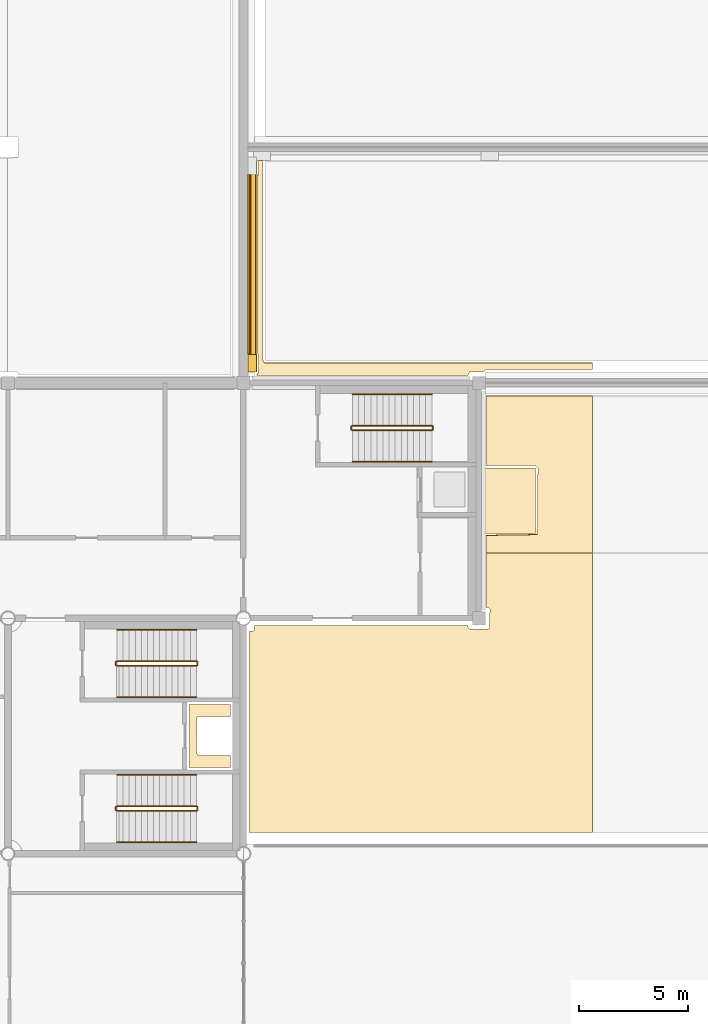
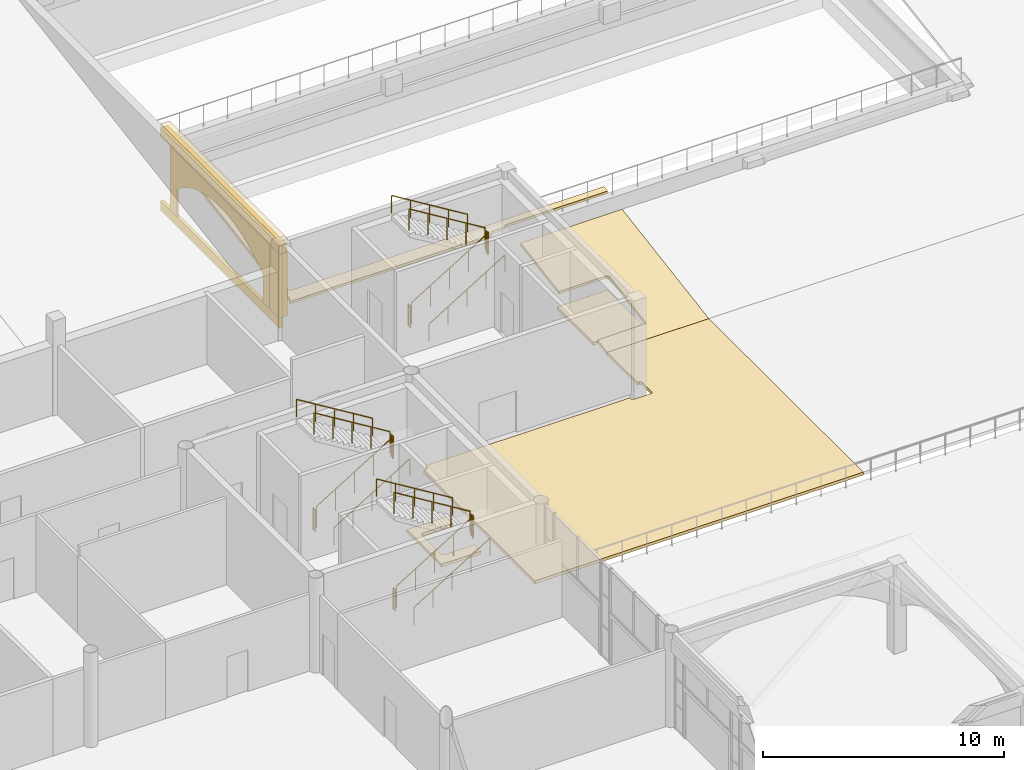
# One storey, part 86 of 91: 18 railings, 10 coverings.
"""IFC4 building model written with IfcOpenShell, lengths in metres."""

from ifc_helpers import new_model, si_unit, direction, frame, origin, origin_2d, place, context, subcontext, project, spatial, polyline, rectangle, circle, outline, extrude, material, layer, layer_set, type_object, element, save


model = new_model("IFC4")

# Units and contexts
model_context = context("Model", 3, precision=1e-05, world=origin(), true_north=direction((0.0, 1.0)))
body_context = subcontext(model_context, "Body", "Model", "MODEL_VIEW")
ifc_project = project(units=[si_unit("LENGTHUNIT", "METRE"), si_unit("AREAUNIT", "SQUARE_METRE"), si_unit("VOLUMEUNIT", "CUBIC_METRE"), si_unit("PLANEANGLEUNIT", "RADIAN"), si_unit("MASSUNIT", "GRAM", prefix="KILO")], contexts=[model_context])

# Site, building, storey
site_placement = place(None, origin())
site = spatial("IfcSite", under=ifc_project, at=site_placement, CompositionType="ELEMENT")
building_placement = place(site_placement, origin())
building = spatial("IfcBuilding", under=site, at=building_placement, Name="Magnolia Steps Interchange", CompositionType="ELEMENT")
storey_placement = place(building_placement, origin())
storey = spatial("IfcBuildingStorey", under=building, at=storey_placement, Name="L00", CompositionType="ELEMENT", Elevation=0.0)

# Coverings
ifc_material_1 = material(Name="Lime render")
ifc_layer_1 = layer(ifc_material_1, 0.080078125)
ifc_layer_set_1 = layer_set([ifc_layer_1], Name="Lime render arch infill")
covering_type_1 = type_object("IfcCoveringType", Name="Lime render arch infill", PredefinedType="CLADDING", material=ifc_layer_set_1)
covering_1_placement = place(storey_placement, frame((118.199951171875, 97.699951171875, 0.5), z_axis=(-1.0, 0.0, 0.0), x_axis=(0.0, 0.0, 1.0)))
element("IfcCovering", 1, at=covering_1_placement, inside=storey, type_object=covering_type_1, Name="Blind arch retaining wall east 1.1", PredefinedType="CLADDING", context=body_context, shape_type="SweptSolid", body=[
    extrude(outline(polyline([(0.0, 0.0), (3.25, 0.0), (3.25, 8.25), (0.0, 8.25), (0.0, 7.699951172), (1.399902344, 7.699951172), (1.703613281, 7.302734375), (1.955566406, 6.905761719), (2.163818359, 6.508300781), (2.333496094, 6.111083984), (2.468505859, 5.713867188), (2.570800781, 5.316650391), (2.643066406, 4.919433594), (2.685791016, 4.522216797), (2.699951172, 4.125), (2.685791016, 3.727783203), (2.643066406, 3.330566406), (2.570800781, 2.933349609), (2.468505859, 2.536132812), (2.333496094, 2.138916016), (2.163818359, 1.741699219), (1.955566406, 1.344482422), (1.703613281, 0.947265625), (1.399902344, 0.550048828), (0.0, 0.550048828), (0.0, 0.0)])), origin(), (0.0, 0.0, -1.0), 0.080078125),
])
ifc_material_2 = material(Name="Lime render")
ifc_layer_2 = layer(ifc_material_2, 0.1201171875)
ifc_layer_set_2 = layer_set([ifc_layer_2], Name="Lime render band")
covering_type_2 = type_object("IfcCoveringType", Name="Lime render band", PredefinedType="CLADDING", material=ifc_layer_set_2)
covering_2_placement = place(storey_placement, frame((118.27490234375, 101.824951171875, 0.0), z_axis=(0.0, 0.0, 1.0), x_axis=(1.0, 0.0, 0.0)))
element("IfcCovering", 2, at=covering_2_placement, inside=storey, type_object=covering_type_2, Name="Plinth course retaining wall east 1", PredefinedType="CLADDING", context=body_context, shape_type="SweptSolid", body=[
    extrude(rectangle(XDim=0.14990234375, YDim=9.85009765625, at=origin_2d()), origin(), (0.0, 0.0, 1.0), 0.5),
])
covering_3_placement = place(storey_placement, frame((118.375, 101.824951171875, 3.75), z_axis=(0.0, 0.0, 1.0), x_axis=(1.0, 0.0, 0.0)))
element("IfcCovering", 3, at=covering_3_placement, inside=storey, type_object=covering_type_2, Name="Cornice retaining wall east 1", PredefinedType="CLADDING", context=body_context, shape_type="SweptSolid", body=[
    extrude(rectangle(XDim=0.35009765625, YDim=9.85009765625, at=origin_2d()), origin(), (0.0, 0.0, 1.0), 0.449951171875),
])
covering_4_placement = place(storey_placement, frame((118.409912109375, 101.824951171875, 4.2001953125), z_axis=(0.0, 0.0, 1.0), x_axis=(1.0, 0.0, 0.0)))
element("IfcCovering", 4, at=covering_4_placement, inside=storey, type_object=covering_type_2, Name="Coping retaining wall east 1", PredefinedType="CLADDING", context=body_context, shape_type="SweptSolid", body=[
    extrude(rectangle(XDim=0.419921875, YDim=9.85009765625, at=origin_2d()), origin(), (0.0, 0.0, 1.0), 0.199951171875),
])
ifc_material_3 = material(Name="Lime render")
ifc_layer_3 = layer(ifc_material_3, 0.39990234375)
ifc_layer_set_3 = layer_set([ifc_layer_3], Name="Lime render pilaster")
covering_type_3 = type_object("IfcCoveringType", Name="Lime render pilaster", PredefinedType="CLADDING", material=ifc_layer_set_3)
covering_5_placement = place(storey_placement, frame((118.39990234375, 97.300048828125, 0.5), z_axis=(0.0, 0.0, 1.0), x_axis=(1.0, 0.0, 0.0)))
element("IfcCovering", 5, at=covering_5_placement, inside=storey, type_object=covering_type_3, Name="Pilaster retaining wall east 1.1", PredefinedType="CLADDING", context=body_context, shape_type="SweptSolid", body=[
    extrude(rectangle(XDim=0.39990234375, YDim=0.800048828125, at=origin_2d()), origin(), (0.0, 0.0, 1.0), 3.25),
])
ifc_material_4 = material(Name="Topsoil and turf on compacted fill")
ifc_layer_4 = layer(ifc_material_4, 0.14990234375)
ifc_layer_set_4 = layer_set([ifc_layer_4], Name="Planted bank 150")
covering_type_4 = type_object("IfcCoveringType", Name="Planted bank 150", PredefinedType="FLOORING", material=ifc_layer_set_4)
covering_6_placement = place(storey_placement, frame((129.125, 89.39990234375, 0.130615234375), z_axis=(7.751221e-06, -0.161144641573, 0.986930800225), x_axis=(0.999875473277, 0.015575938785, 0.002535363995)))
element("IfcCovering", 6, at=covering_6_placement, inside=storey, type_object=covering_type_4, Name="Planted bank north centre", PredefinedType="FLOORING", context=body_context, shape_type="SweptSolid", body=[
    extrude(outline(polyline([(0.0, 0.0), (2.352587881, 0.0), (2.424274337, 3.103266857), (2.325789733, 3.206259232), (0.051170675, 3.242159316), (0.102337547, 6.484077711), (4.976730479, 6.407145658), (4.861604066, -0.887230963), (-0.012788866, -0.810298909), (0.0, 0.0)])), origin(), (0.0, 0.0, -1.0), 0.14990234375),
])
covering_7_placement = place(storey_placement, frame((118.89990234375, 106.60009765625, 2.938720703125), z_axis=(-1.266777e-06, -0.161134405283, 0.986932471567), x_axis=(1.9e-11, -0.986932471567, -0.161134405283)))
element("IfcCovering", 7, at=covering_7_placement, inside=storey, type_object=covering_type_4, Name="Planted bank north centre 7", PredefinedType="FLOORING", context=body_context, shape_type="SweptSolid", body=[
    extrude(outline(polyline([(0.0, 0.0), (9.321987822, 0.0), (9.418958069, 0.071044922), (9.420925011, 15.100097656), (9.727207405, 15.100097656), (9.727207405, 10.200195312), (9.828632775, 10.100097656), (9.83280761, 9.471191406), (10.005755914, 9.400146484), (10.005755914, -0.299804688), (9.838506824, -0.200439453), (9.017992, -0.199951172), (8.916566629, -0.299804688), (0.75990842, -0.299804687), (0.668637389, -0.200439453), (0.0, -0.199951172), (0.0, 0.0)])), origin(), (0.0, 0.0, -1.0), 0.14990234375),
])

# Railings
ifc_material_5 = material(Name="Stainless steel grade 304", Category="steel")
railing_type_1 = type_object("IfcRailingType", Name="Stair guard 1100", PredefinedType="GUARDRAIL", material=ifc_material_5)
railing_1_placement = place(storey_placement, frame((112.199951171875, 83.426025390625, 0.17138671875)))
element("IfcRailing", 8, at=railing_1_placement, inside=storey, type_object=railing_type_1, Name="L00 ST3 stair guard 1", PredefinedType="GUARDRAIL", context=body_context, shape_type="SweptSolid", body=[
    extrude(circle(Radius=0.02392578125, at=origin_2d()), frame((0.0, 0.0, 1.076171875), z_axis=(0.852865859571, 0.0, 0.52213008492), x_axis=(0.0, 1.0, 0.0)), (0.0, 0.0, 1.0), 4.26806640625),
    extrude(circle(Radius=0.02099609375, at=origin_2d()), origin(), (0.0, 0.0, 1.0), 1.052001953125),
    extrude(circle(Radius=0.02099609375, at=origin_2d()), frame((0.91015625, 0.0, 0.55712890625)), (0.0, 0.0, 1.0), 1.052001953125),
    extrude(circle(Radius=0.02099609375, at=origin_2d()), frame((1.820068359375, 0.0, 1.1142578125)), (0.0, 0.0, 1.0), 1.052001953125),
    extrude(circle(Radius=0.02099609375, at=origin_2d()), frame((2.72998046875, 0.0, 1.67138671875)), (0.0, 0.0, 1.0), 1.052001953125),
    extrude(circle(Radius=0.02099609375, at=origin_2d()), frame((3.64013671875, 0.0, 2.228515625)), (0.0, 0.0, 1.0), 1.052001953125),
])
railing_2_placement = place(storey_placement, frame((115.889892578125, 83.449951171875, 2.39990234375)))
element("IfcRailing", 9, at=railing_2_placement, inside=storey, type_object=railing_type_1, Name="L00 ST3 stair guard 2", PredefinedType="GUARDRAIL", context=body_context, shape_type="SweptSolid", body=[
    extrude(circle(Radius=0.02392578125, at=origin_2d()), frame((0.0, 0.0, 1.076171875), z_axis=(0.0, 1.0, 0.0), x_axis=(-1.0, 0.0, 0.0)), (0.0, 0.0, 1.0), 0.150146484375),
    extrude(circle(Radius=0.02099609375, at=origin_2d()), origin(), (0.0, 0.0, 1.0), 1.052001953125),
    extrude(circle(Radius=0.02099609375, at=origin_2d()), frame((0.0, 0.150146484375, 0.0)), (0.0, 0.0, 1.0), 1.052001953125),
])
railing_3_placement = place(storey_placement, frame((115.840087890625, 83.6240234375, 2.571533203125)))
element("IfcRailing", 10, at=railing_3_placement, inside=storey, type_object=railing_type_1, Name="L00 ST3 stair guard 3", PredefinedType="GUARDRAIL", context=body_context, shape_type="SweptSolid", body=[
    extrude(circle(Radius=0.02392578125, at=origin_2d()), frame((0.0, 0.0, 1.076171875), z_axis=(-0.852865859571, 0.0, 0.52213008492), x_axis=(0.0, -1.0, 0.0)), (0.0, 0.0, 1.0), 4.26806640625),
    extrude(circle(Radius=0.02099609375, at=origin_2d()), origin(), (0.0, 0.0, 1.0), 1.052001953125),
    extrude(circle(Radius=0.02099609375, at=origin_2d()), frame((-0.91015625, 0.0, 0.55712890625)), (0.0, 0.0, 1.0), 1.052001953125),
    extrude(circle(Radius=0.02099609375, at=origin_2d()), frame((-1.820068359375, 0.0, 1.1142578125)), (0.0, 0.0, 1.0), 1.052001953125),
    extrude(circle(Radius=0.02099609375, at=origin_2d()), frame((-2.72998046875, 0.0, 1.67138671875)), (0.0, 0.0, 1.0), 1.052001953125),
    extrude(circle(Radius=0.02099609375, at=origin_2d()), frame((-3.64013671875, 0.0, 2.228515625)), (0.0, 0.0, 1.0), 1.052001953125),
])
railing_4_placement = place(storey_placement, frame((112.14990234375, 83.449951171875, 0.0)))
element("IfcRailing", 11, at=railing_4_placement, inside=storey, type_object=railing_type_1, Name="L00 ST3 stair guard 4", PredefinedType="GUARDRAIL", context=body_context, shape_type="SweptSolid", body=[
    extrude(circle(Radius=0.02392578125, at=origin_2d()), frame((0.0, 0.0, 1.076171875), z_axis=(0.0, 1.0, 0.0), x_axis=(-1.0, 0.0, 0.0)), (0.0, 0.0, 1.0), 0.150146484375),
    extrude(circle(Radius=0.02099609375, at=origin_2d()), origin(), (0.0, 0.0, 1.0), 1.052001953125),
    extrude(circle(Radius=0.02099609375, at=origin_2d()), frame((0.0, 0.150146484375, 0.0)), (0.0, 0.0, 1.0), 1.052001953125),
])
railing_5_placement = place(storey_placement, frame((112.199951171875, 76.77587890625, 0.17138671875)))
element("IfcRailing", 12, at=railing_5_placement, inside=storey, type_object=railing_type_1, Name="L00 ST4 stair guard 1", PredefinedType="GUARDRAIL", context=body_context, shape_type="SweptSolid", body=[
    extrude(circle(Radius=0.02392578125, at=origin_2d()), frame((0.0, 0.0, 1.076171875), z_axis=(0.852865859571, 0.0, 0.52213008492), x_axis=(0.0, 1.0, 0.0)), (0.0, 0.0, 1.0), 4.26806640625),
    extrude(circle(Radius=0.02099609375, at=origin_2d()), origin(), (0.0, 0.0, 1.0), 1.052001953125),
    extrude(circle(Radius=0.02099609375, at=origin_2d()), frame((0.91015625, 0.0, 0.55712890625)), (0.0, 0.0, 1.0), 1.052001953125),
    extrude(circle(Radius=0.02099609375, at=origin_2d()), frame((1.820068359375, 0.0, 1.1142578125)), (0.0, 0.0, 1.0), 1.052001953125),
    extrude(circle(Radius=0.02099609375, at=origin_2d()), frame((2.72998046875, 0.0, 1.67138671875)), (0.0, 0.0, 1.0), 1.052001953125),
    extrude(circle(Radius=0.02099609375, at=origin_2d()), frame((3.64013671875, 0.0, 2.228515625)), (0.0, 0.0, 1.0), 1.052001953125),
])
railing_6_placement = place(storey_placement, frame((115.889892578125, 76.800048828125, 2.39990234375)))
element("IfcRailing", 13, at=railing_6_placement, inside=storey, type_object=railing_type_1, Name="L00 ST4 stair guard 2", PredefinedType="GUARDRAIL", context=body_context, shape_type="SweptSolid", body=[
    extrude(circle(Radius=0.02392578125, at=origin_2d()), frame((0.0, 0.0, 1.076171875), z_axis=(0.0, 1.0, 0.0), x_axis=(-1.0, 0.0, 0.0)), (0.0, 0.0, 1.0), 0.14990234375),
    extrude(circle(Radius=0.02099609375, at=origin_2d()), origin(), (0.0, 0.0, 1.0), 1.052001953125),
    extrude(circle(Radius=0.02099609375, at=origin_2d()), frame((0.0, 0.14990234375, 0.0)), (0.0, 0.0, 1.0), 1.052001953125),
])
railing_7_placement = place(storey_placement, frame((115.840087890625, 76.97412109375, 2.571533203125)))
element("IfcRailing", 14, at=railing_7_placement, inside=storey, type_object=railing_type_1, Name="L00 ST4 stair guard 3", PredefinedType="GUARDRAIL", context=body_context, shape_type="SweptSolid", body=[
    extrude(circle(Radius=0.02392578125, at=origin_2d()), frame((0.0, 0.0, 1.076171875), z_axis=(-0.852865859571, 0.0, 0.52213008492), x_axis=(0.0, -1.0, 0.0)), (0.0, 0.0, 1.0), 4.26806640625),
    extrude(circle(Radius=0.02099609375, at=origin_2d()), origin(), (0.0, 0.0, 1.0), 1.052001953125),
    extrude(circle(Radius=0.02099609375, at=origin_2d()), frame((-0.91015625, 0.0, 0.55712890625)), (0.0, 0.0, 1.0), 1.052001953125),
    extrude(circle(Radius=0.02099609375, at=origin_2d()), frame((-1.820068359375, 0.0, 1.1142578125)), (0.0, 0.0, 1.0), 1.052001953125),
    extrude(circle(Radius=0.02099609375, at=origin_2d()), frame((-2.72998046875, 0.0, 1.67138671875)), (0.0, 0.0, 1.0), 1.052001953125),
    extrude(circle(Radius=0.02099609375, at=origin_2d()), frame((-3.64013671875, 0.0, 2.228515625)), (0.0, 0.0, 1.0), 1.052001953125),
])
railing_8_placement = place(storey_placement, frame((112.14990234375, 76.800048828125, 0.0)))
element("IfcRailing", 15, at=railing_8_placement, inside=storey, type_object=railing_type_1, Name="L00 ST4 stair guard 4", PredefinedType="GUARDRAIL", context=body_context, shape_type="SweptSolid", body=[
    extrude(circle(Radius=0.02392578125, at=origin_2d()), frame((0.0, 0.0, 1.076171875), z_axis=(0.0, 1.0, 0.0), x_axis=(-1.0, 0.0, 0.0)), (0.0, 0.0, 1.0), 0.14990234375),
    extrude(circle(Radius=0.02099609375, at=origin_2d()), origin(), (0.0, 0.0, 1.0), 1.052001953125),
    extrude(circle(Radius=0.02099609375, at=origin_2d()), frame((0.0, 0.14990234375, 0.0)), (0.0, 0.0, 1.0), 1.052001953125),
])
railing_9_placement = place(storey_placement, frame((123.0, 94.22607421875, 0.17138671875)))
element("IfcRailing", 16, at=railing_9_placement, inside=storey, type_object=railing_type_1, Name="L00 ST27 stair guard 1", PredefinedType="GUARDRAIL", context=body_context, shape_type="SweptSolid", body=[
    extrude(circle(Radius=0.02392578125, at=origin_2d()), frame((0.0, 0.0, 1.076171875), z_axis=(0.852850264322, 0.0, 0.5221555579), x_axis=(0.0, 1.0, 0.0)), (0.0, 0.0, 1.0), 4.267822265625),
    extrude(circle(Radius=0.02099609375, at=origin_2d()), origin(), (0.0, 0.0, 1.0), 1.052001953125),
    extrude(circle(Radius=0.02099609375, at=origin_2d()), frame((0.909912109375, 0.0, 0.55712890625)), (0.0, 0.0, 1.0), 1.052001953125),
    extrude(circle(Radius=0.02099609375, at=origin_2d()), frame((1.81982421875, 0.0, 1.1142578125)), (0.0, 0.0, 1.0), 1.052001953125),
    extrude(circle(Radius=0.02099609375, at=origin_2d()), frame((2.72998046875, 0.0, 1.67138671875)), (0.0, 0.0, 1.0), 1.052001953125),
    extrude(circle(Radius=0.02099609375, at=origin_2d()), frame((3.639892578125, 0.0, 2.228515625)), (0.0, 0.0, 1.0), 1.052001953125),
])
railing_10_placement = place(storey_placement, frame((126.68994140625, 94.25, 2.39990234375)))
element("IfcRailing", 17, at=railing_10_placement, inside=storey, type_object=railing_type_1, Name="L00 ST27 stair guard 2", PredefinedType="GUARDRAIL", context=body_context, shape_type="SweptSolid", body=[
    extrude(circle(Radius=0.02392578125, at=origin_2d()), frame((0.0, 0.0, 1.076171875), z_axis=(0.0, 1.0, 0.0), x_axis=(-1.0, 0.0, 0.0)), (0.0, 0.0, 1.0), 0.14990234375),
    extrude(circle(Radius=0.02099609375, at=origin_2d()), origin(), (0.0, 0.0, 1.0), 1.052001953125),
    extrude(circle(Radius=0.02099609375, at=origin_2d()), frame((0.0, 0.14990234375, 0.0)), (0.0, 0.0, 1.0), 1.052001953125),
])
railing_11_placement = place(storey_placement, frame((126.639892578125, 94.424072265625, 2.571533203125)))
element("IfcRailing", 18, at=railing_11_placement, inside=storey, type_object=railing_type_1, Name="L00 ST27 stair guard 3", PredefinedType="GUARDRAIL", context=body_context, shape_type="SweptSolid", body=[
    extrude(circle(Radius=0.02392578125, at=origin_2d()), frame((0.0, 0.0, 1.076171875), z_axis=(-0.852850264322, 0.0, 0.5221555579), x_axis=(0.0, -1.0, 0.0)), (0.0, 0.0, 1.0), 4.267822265625),
    extrude(circle(Radius=0.02099609375, at=origin_2d()), origin(), (0.0, 0.0, 1.0), 1.052001953125),
    extrude(circle(Radius=0.02099609375, at=origin_2d()), frame((-0.909912109375, 0.0, 0.55712890625)), (0.0, 0.0, 1.0), 1.052001953125),
    extrude(circle(Radius=0.02099609375, at=origin_2d()), frame((-1.81982421875, 0.0, 1.1142578125)), (0.0, 0.0, 1.0), 1.052001953125),
    extrude(circle(Radius=0.02099609375, at=origin_2d()), frame((-2.72998046875, 0.0, 1.67138671875)), (0.0, 0.0, 1.0), 1.052001953125),
    extrude(circle(Radius=0.02099609375, at=origin_2d()), frame((-3.639892578125, 0.0, 2.228515625)), (0.0, 0.0, 1.0), 1.052001953125),
])
railing_12_placement = place(storey_placement, frame((122.949951171875, 94.25, 0.0)))
element("IfcRailing", 19, at=railing_12_placement, inside=storey, type_object=railing_type_1, Name="L00 ST27 stair guard 4", PredefinedType="GUARDRAIL", context=body_context, shape_type="SweptSolid", body=[
    extrude(circle(Radius=0.02392578125, at=origin_2d()), frame((0.0, 0.0, 1.076171875), z_axis=(0.0, 1.0, 0.0), x_axis=(-1.0, 0.0, 0.0)), (0.0, 0.0, 1.0), 0.14990234375),
    extrude(circle(Radius=0.02099609375, at=origin_2d()), origin(), (0.0, 0.0, 1.0), 1.052001953125),
    extrude(circle(Radius=0.02099609375, at=origin_2d()), frame((0.0, 0.14990234375, 0.0)), (0.0, 0.0, 1.0), 1.052001953125),
])
ifc_material_6 = material(Name="Stainless steel grade 304", Category="steel")
railing_type_2 = type_object("IfcRailingType", Name="Stair handrail 900", PredefinedType="HANDRAIL", material=ifc_material_6)
railing_13_placement = place(storey_placement, frame((112.199951171875, 81.97412109375, 0.17138671875)))
element("IfcRailing", 20, at=railing_13_placement, inside=storey, type_object=railing_type_2, Name="L00 ST3 stair handrail 1", PredefinedType="HANDRAIL", context=body_context, shape_type="SweptSolid", body=[
    extrude(circle(Radius=0.02392578125, at=origin_2d()), frame((0.0, 0.0, 0.8759765625), z_axis=(0.852865859571, 0.0, 0.52213008492), x_axis=(0.0, 1.0, 0.0)), (0.0, 0.0, 1.0), 4.26806640625),
    extrude(circle(Radius=0.02099609375, at=origin_2d()), origin(), (0.0, 0.0, 1.0), 0.851806640625),
    extrude(circle(Radius=0.02099609375, at=origin_2d()), frame((0.91015625, 0.0, 0.55712890625)), (0.0, 0.0, 1.0), 0.851806640625),
    extrude(circle(Radius=0.02099609375, at=origin_2d()), frame((1.820068359375, 0.0, 1.1142578125)), (0.0, 0.0, 1.0), 0.851806640625),
    extrude(circle(Radius=0.02099609375, at=origin_2d()), frame((2.72998046875, 0.0, 1.67138671875)), (0.0, 0.0, 1.0), 0.851806640625),
    extrude(circle(Radius=0.02099609375, at=origin_2d()), frame((3.64013671875, 0.0, 2.228515625)), (0.0, 0.0, 1.0), 0.851806640625),
])
railing_14_placement = place(storey_placement, frame((115.840087890625, 85.075927734375, 2.571533203125)))
element("IfcRailing", 21, at=railing_14_placement, inside=storey, type_object=railing_type_2, Name="L00 ST3 stair handrail 2", PredefinedType="HANDRAIL", context=body_context, shape_type="SweptSolid", body=[
    extrude(circle(Radius=0.02392578125, at=origin_2d()), frame((0.0, 0.0, 0.8759765625), z_axis=(-0.852865859571, 0.0, 0.52213008492), x_axis=(0.0, -1.0, 0.0)), (0.0, 0.0, 1.0), 4.26806640625),
    extrude(circle(Radius=0.02099609375, at=origin_2d()), origin(), (0.0, 0.0, 1.0), 0.851806640625),
    extrude(circle(Radius=0.02099609375, at=origin_2d()), frame((-0.91015625, 0.0, 0.55712890625)), (0.0, 0.0, 1.0), 0.851806640625),
    extrude(circle(Radius=0.02099609375, at=origin_2d()), frame((-1.820068359375, 0.0, 1.1142578125)), (0.0, 0.0, 1.0), 0.851806640625),
    extrude(circle(Radius=0.02099609375, at=origin_2d()), frame((-2.72998046875, 0.0, 1.67138671875)), (0.0, 0.0, 1.0), 0.851806640625),
    extrude(circle(Radius=0.02099609375, at=origin_2d()), frame((-3.64013671875, 0.0, 2.228515625)), (0.0, 0.0, 1.0), 0.851806640625),
])
railing_15_placement = place(storey_placement, frame((112.199951171875, 75.323974609375, 0.17138671875)))
element("IfcRailing", 22, at=railing_15_placement, inside=storey, type_object=railing_type_2, Name="L00 ST4 stair handrail 1", PredefinedType="HANDRAIL", context=body_context, shape_type="SweptSolid", body=[
    extrude(circle(Radius=0.02392578125, at=origin_2d()), frame((0.0, 0.0, 0.8759765625), z_axis=(0.852865859571, 0.0, 0.52213008492), x_axis=(0.0, 1.0, 0.0)), (0.0, 0.0, 1.0), 4.26806640625),
    extrude(circle(Radius=0.02099609375, at=origin_2d()), origin(), (0.0, 0.0, 1.0), 0.851806640625),
    extrude(circle(Radius=0.02099609375, at=origin_2d()), frame((0.91015625, 0.0, 0.55712890625)), (0.0, 0.0, 1.0), 0.851806640625),
    extrude(circle(Radius=0.02099609375, at=origin_2d()), frame((1.820068359375, 0.0, 1.1142578125)), (0.0, 0.0, 1.0), 0.851806640625),
    extrude(circle(Radius=0.02099609375, at=origin_2d()), frame((2.72998046875, 0.0, 1.67138671875)), (0.0, 0.0, 1.0), 0.851806640625),
    extrude(circle(Radius=0.02099609375, at=origin_2d()), frame((3.64013671875, 0.0, 2.228515625)), (0.0, 0.0, 1.0), 0.851806640625),
])
railing_16_placement = place(storey_placement, frame((115.840087890625, 78.426025390625, 2.571533203125)))
element("IfcRailing", 23, at=railing_16_placement, inside=storey, type_object=railing_type_2, Name="L00 ST4 stair handrail 2", PredefinedType="HANDRAIL", context=body_context, shape_type="SweptSolid", body=[
    extrude(circle(Radius=0.02392578125, at=origin_2d()), frame((0.0, 0.0, 0.8759765625), z_axis=(-0.852865859571, 0.0, 0.52213008492), x_axis=(0.0, -1.0, 0.0)), (0.0, 0.0, 1.0), 4.26806640625),
    extrude(circle(Radius=0.02099609375, at=origin_2d()), origin(), (0.0, 0.0, 1.0), 0.851806640625),
    extrude(circle(Radius=0.02099609375, at=origin_2d()), frame((-0.91015625, 0.0, 0.55712890625)), (0.0, 0.0, 1.0), 0.851806640625),
    extrude(circle(Radius=0.02099609375, at=origin_2d()), frame((-1.820068359375, 0.0, 1.1142578125)), (0.0, 0.0, 1.0), 0.851806640625),
    extrude(circle(Radius=0.02099609375, at=origin_2d()), frame((-2.72998046875, 0.0, 1.67138671875)), (0.0, 0.0, 1.0), 0.851806640625),
    extrude(circle(Radius=0.02099609375, at=origin_2d()), frame((-3.64013671875, 0.0, 2.228515625)), (0.0, 0.0, 1.0), 0.851806640625),
])
railing_17_placement = place(storey_placement, frame((123.0, 92.77392578125, 0.17138671875)))
element("IfcRailing", 24, at=railing_17_placement, inside=storey, type_object=railing_type_2, Name="L00 ST27 stair handrail 1", PredefinedType="HANDRAIL", context=body_context, shape_type="SweptSolid", body=[
    extrude(circle(Radius=0.02392578125, at=origin_2d()), frame((0.0, 0.0, 0.8759765625), z_axis=(0.852850264322, 0.0, 0.5221555579), x_axis=(0.0, 1.0, 0.0)), (0.0, 0.0, 1.0), 4.267822265625),
    extrude(circle(Radius=0.02099609375, at=origin_2d()), origin(), (0.0, 0.0, 1.0), 0.851806640625),
    extrude(circle(Radius=0.02099609375, at=origin_2d()), frame((0.909912109375, 0.0, 0.55712890625)), (0.0, 0.0, 1.0), 0.851806640625),
    extrude(circle(Radius=0.02099609375, at=origin_2d()), frame((1.81982421875, 0.0, 1.1142578125)), (0.0, 0.0, 1.0), 0.851806640625),
    extrude(circle(Radius=0.02099609375, at=origin_2d()), frame((2.72998046875, 0.0, 1.67138671875)), (0.0, 0.0, 1.0), 0.851806640625),
    extrude(circle(Radius=0.02099609375, at=origin_2d()), frame((3.639892578125, 0.0, 2.228515625)), (0.0, 0.0, 1.0), 0.851806640625),
])
railing_18_placement = place(storey_placement, frame((126.639892578125, 95.8759765625, 2.571533203125)))
element("IfcRailing", 25, at=railing_18_placement, inside=storey, type_object=railing_type_2, Name="L00 ST27 stair handrail 2", PredefinedType="HANDRAIL", context=body_context, shape_type="SweptSolid", body=[
    extrude(circle(Radius=0.02392578125, at=origin_2d()), frame((0.0, 0.0, 0.8759765625), z_axis=(-0.852850264322, 0.0, 0.5221555579), x_axis=(0.0, -1.0, 0.0)), (0.0, 0.0, 1.0), 4.267822265625),
    extrude(circle(Radius=0.02099609375, at=origin_2d()), origin(), (0.0, 0.0, 1.0), 0.851806640625),
    extrude(circle(Radius=0.02099609375, at=origin_2d()), frame((-0.909912109375, 0.0, 0.55712890625)), (0.0, 0.0, 1.0), 0.851806640625),
    extrude(circle(Radius=0.02099609375, at=origin_2d()), frame((-1.81982421875, 0.0, 1.1142578125)), (0.0, 0.0, 1.0), 0.851806640625),
    extrude(circle(Radius=0.02099609375, at=origin_2d()), frame((-2.72998046875, 0.0, 1.67138671875)), (0.0, 0.0, 1.0), 0.851806640625),
    extrude(circle(Radius=0.02099609375, at=origin_2d()), frame((-3.639892578125, 0.0, 2.228515625)), (0.0, 0.0, 1.0), 0.851806640625),
])

# Coverings
ifc_material_7 = material(Name="Natural stone paving", Category="masonry")
ifc_layer_5 = layer(ifc_material_7, 0.14990234375)
ifc_layer_set_5 = layer_set([ifc_layer_5], Name="Stone paving 150")
covering_type_5 = type_object("IfcCoveringType", Name="Stone paving 150", PredefinedType="FLOORING", material=ifc_layer_set_5)
covering_8_placement = place(storey_placement, frame((130.1875, 91.0, -0.14990234375), z_axis=(0.0, 0.0, 1.0), x_axis=(1.0, 0.0, 0.0)))
element("IfcCovering", 26, at=covering_8_placement, inside=storey, type_object=covering_type_5, Name="Entrance paving", PredefinedType="FLOORING", context=body_context, shape_type="SweptSolid", body=[
    extrude(rectangle(XDim=2.425048828125, YDim=3.0, at=origin_2d()), origin(), (0.0, 0.0, 1.0), 0.14990234375),
])
covering_9_placement = place(storey_placement, frame((0.0, 0.0, -0.14990234375)))
element("IfcCovering", 27, at=covering_9_placement, inside=storey, type_object=covering_type_5, Name="Court paving centre", PredefinedType="FLOORING", context=body_context, shape_type="SweptSolid", body=[
    extrude(outline(polyline([(118.25, 75.77001953125), (118.25, 85.0), (118.470703125, 85.029296875), (118.5, 85.27490234375), (128.300048828125, 85.27490234375), (128.311767578125, 85.15283203125), (128.39013671875, 85.1005859375), (129.209716796875, 85.1005859375), (129.2880859375, 85.15283203125), (129.298095703125, 86.01953125), (129.23828125, 86.09228515625), (129.125, 86.10009765625), (129.125, 88.60009765625), (134.0, 88.60009765625), (134.0, 75.768310546875), (118.25, 75.77001953125)])), origin(), (0.0, 0.0, 1.0), 0.14990234375),
])
covering_10_placement = place(storey_placement, frame((0.0, 0.0, -0.14990234375)))
element("IfcCovering", 28, at=covering_10_placement, inside=storey, type_object=covering_type_5, Name="Court paving centre 3", PredefinedType="FLOORING", context=body_context, shape_type="SweptSolid", body=[
    extrude(outline(polyline([(115.5, 78.75), (115.5, 81.64990234375), (117.39990234375, 81.64990234375), (117.39990234375, 81.08642578125), (115.949951171875, 81.10009765625), (115.866943359375, 81.0556640625), (115.85009765625, 79.39990234375), (115.940185546875, 79.300537109375), (117.39990234375, 79.3134765625), (117.39990234375, 78.75), (115.5, 78.75)])), origin(), (0.0, 0.0, 1.0), 0.14990234375),
])

save(model, "model.ifc")
